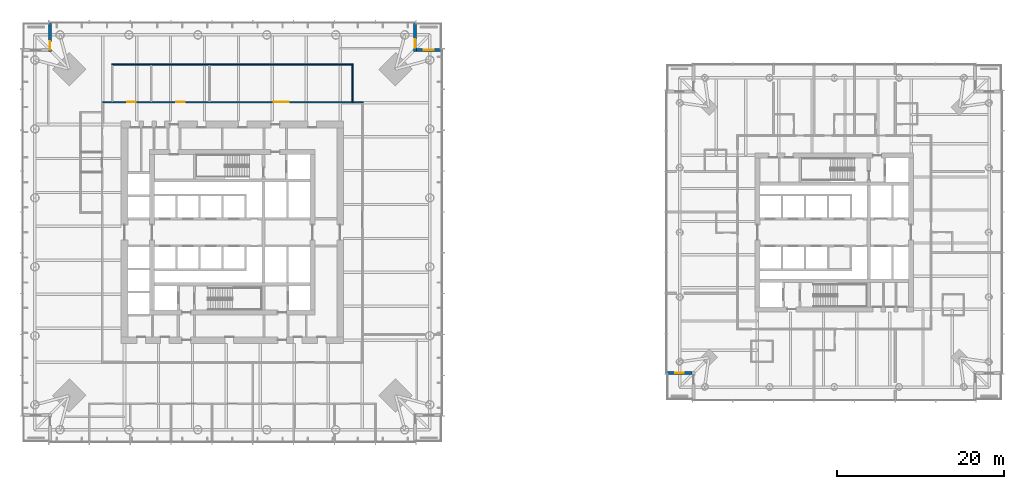
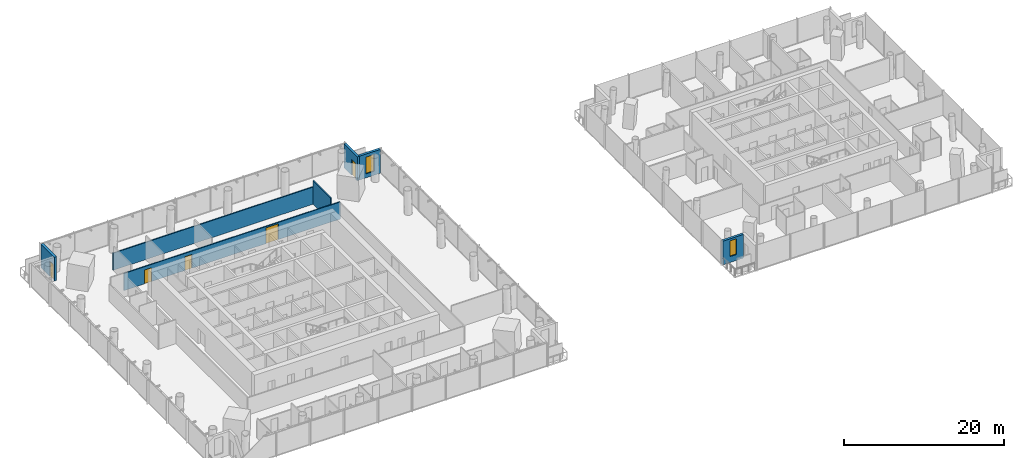
# One storey, part 13 of 21: 7 walls, 5 doors, 2 windows, 7 openings.
"""IFC4 building model written with IfcOpenShell, lengths in metres."""

from ifc_helpers import new_model, si_unit, direction, frame, frame_2d, origin, place, context, subcontext, project, spatial, rectangle, extrude, material, layer, layer_set, type_object, element, fill, save


model = new_model("IFC4")

# Units and contexts
model_context = context("Model", 3, precision=1e-05, world=origin(), true_north=direction((0.0, 1.0)))
body_context = subcontext(model_context, "Body", "Model", "MODEL_VIEW")
ifc_project = project(units=[si_unit("LENGTHUNIT", "METRE"), si_unit("AREAUNIT", "SQUARE_METRE"), si_unit("VOLUMEUNIT", "CUBIC_METRE"), si_unit("PLANEANGLEUNIT", "RADIAN"), si_unit("MASSUNIT", "GRAM", prefix="KILO")], contexts=[model_context])

# Site, building, storey
site_placement = place(None, origin())
site = spatial("IfcSite", under=ifc_project, at=site_placement, CompositionType="ELEMENT")
building_placement = place(site_placement, origin())
building = spatial("IfcBuilding", under=site, at=building_placement, Name="Ostroluk Exchange", CompositionType="ELEMENT")
storey_placement = place(building_placement, frame((0.0, 0.0, 32.39990234375)))
storey = spatial("IfcBuildingStorey", under=building, at=storey_placement, Name="L07", CompositionType="ELEMENT", Elevation=32.39990234375)

# Wall, opening, door
ifc_material_1 = material(Name="Limestone", Category="masonry")
ifc_layer_1 = layer(ifc_material_1, 0.35009765625)
ifc_layer_set_1 = layer_set([ifc_layer_1], Name="Limestone facade wall 350")
wall_type_1 = type_object("IfcWallType", Name="Limestone facade wall 350", PredefinedType="SOLIDWALL", material=ifc_layer_set_1)
wall_1_placement = place(storey_placement, frame((66.824951171875, 71.0, 0.0), z_axis=(0.0, 0.0, 1.0), x_axis=(0.0, -1.0, 0.0)))
wall_1 = element("IfcWall", 1, at=wall_1_placement, inside=storey, type_object=wall_type_1, Name="Office tower NE corner wall L07 a", PredefinedType="SOLIDWALL", context=body_context, shape_type="SweptSolid", body=[
    extrude(rectangle(XDim=3.35009765625, YDim=0.35009765625, at=frame_2d((1.675048828125, 0.0))), origin(), (0.0, 0.0, 1.0), 3.6201171875),
])
opening_1_placement = place(wall_1_placement, frame((1.89990234375, 0.0, 0.0)))
opening_1 = element("IfcOpeningElement", 2, at=opening_1_placement, cuts=wall_1, Name="Opening D-B1", PredefinedType="OPENING", context=body_context, shape_type="SweptSolid", body=[
    extrude(rectangle(XDim=1.0, YDim=2.39990234375, at=frame_2d((0.5, 1.199951171875))), frame((0.0, 0.18505859375, 0.0), z_axis=(0.0, -1.0, 0.0), x_axis=(1.0, 0.0, 0.0)), (0.0, 0.0, 1.0), 0.3701171875),
])
ifc_material_2 = material(Name="Bronze framed glazed door", Category="aluminium")
door_type_1 = type_object("IfcDoorType", Name="Balcony door 1000 x 2400", OperationType="SINGLE_SWING_LEFT", PredefinedType="DOOR", material=ifc_material_2)
door_1_placement = place(opening_1_placement, origin())
door_1 = element("IfcDoor", 3, at=door_1_placement, inside=storey, type_object=door_type_1, Name="Office tower NE balcony door L07", OperationType="SINGLE_SWING_RIGHT", OverallHeight=2.39990234375, OverallWidth=1.0, PredefinedType="DOOR", context=body_context, shape_type="SweptSolid", body=[
    extrude(rectangle(XDim=1.0, YDim=2.39990234375, at=frame_2d((0.5, 1.199951171875))), frame((0.0, 0.02490234375, 0.0), z_axis=(0.0, -1.0, 0.0), x_axis=(1.0, 0.0, 0.0)), (0.0, 0.0, 1.0), 0.050048828125),
])
fill(opening_1, door_1)

# Wall, opening, window
wall_2_placement = place(storey_placement, frame((67.0, 67.824951171875, 0.0), z_axis=(0.0, 0.0, 1.0), x_axis=(1.0, 0.0, 0.0)))
wall_2 = element("IfcWall", 4, at=wall_2_placement, inside=storey, type_object=wall_type_1, Name="Office tower NE corner wall L07 b", PredefinedType="SOLIDWALL", context=body_context, shape_type="SweptSolid", body=[
    extrude(rectangle(XDim=3.0, YDim=0.35009765625, at=frame_2d((1.5, 0.0))), origin(), (0.0, 0.0, 1.0), 3.6201171875),
])
opening_2_placement = place(wall_2_placement, frame((0.89990234375, 0.0, 0.60009765625)))
opening_2 = element("IfcOpeningElement", 5, at=opening_2_placement, cuts=wall_2, Name="Opening WN-L1", PredefinedType="OPENING", context=body_context, shape_type="SweptSolid", body=[
    extrude(rectangle(XDim=1.199951171875, YDim=2.550048828125, at=frame_2d((0.60009765625, 1.27490234375))), frame((0.0, 0.18505859375, 0.0), z_axis=(0.0, -1.0, 0.0), x_axis=(1.0, 0.0, 0.0)), (0.0, 0.0, 1.0), 0.3701171875),
])
ifc_material_3 = material(Name="Laminated clear glass", Category="glass")
window_type_1 = type_object("IfcWindowType", Name="Lancet window 1200 x 2550", PartitioningType="SINGLE_PANEL", PredefinedType="WINDOW", material=ifc_material_3)
window_1_placement = place(opening_2_placement, origin())
window_1 = element("IfcWindow", 6, at=window_1_placement, inside=storey, type_object=window_type_1, Name="Office tower NE lancet window L07", OverallHeight=2.550048828125, OverallWidth=1.199951171875, PartitioningType="SINGLE_PANEL", PredefinedType="WINDOW", context=body_context, shape_type="SweptSolid", body=[
    extrude(rectangle(XDim=1.199951171875, YDim=2.550048828125, at=frame_2d((0.60009765625, 1.27490234375))), frame((0.0, 0.030029296875, 0.0), z_axis=(0.0, -1.0, 0.0), x_axis=(1.0, 0.0, 0.0)), (0.0, 0.0, 1.0), 0.06005859375),
])
fill(opening_2, window_1)

# Wall, opening, door
wall_3_placement = place(storey_placement, frame((23.175048828125, 71.0, 0.0), z_axis=(0.0, 0.0, 1.0), x_axis=(0.0, -1.0, 0.0)))
wall_3 = element("IfcWall", 7, at=wall_3_placement, inside=storey, type_object=wall_type_1, Name="Office tower NW corner wall L07 a", PredefinedType="SOLIDWALL", context=body_context, shape_type="SweptSolid", body=[
    extrude(rectangle(XDim=3.35009765625, YDim=0.35009765625, at=frame_2d((1.675048828125, 0.0))), origin(), (0.0, 0.0, 1.0), 3.6201171875),
])
opening_3_placement = place(wall_3_placement, frame((2.14990234375, 0.0, 0.0)))
opening_3 = element("IfcOpeningElement", 8, at=opening_3_placement, cuts=wall_3, Name="Opening D-B1", PredefinedType="OPENING", context=body_context, shape_type="SweptSolid", body=[
    extrude(rectangle(XDim=1.0, YDim=2.39990234375, at=frame_2d((0.5, 1.199951171875))), frame((0.0, 0.18505859375, 0.0), z_axis=(0.0, -1.0, 0.0), x_axis=(1.0, 0.0, 0.0)), (0.0, 0.0, 1.0), 0.3701171875),
])
door_2_placement = place(opening_3_placement, origin())
door_2 = element("IfcDoor", 9, at=door_2_placement, inside=storey, type_object=door_type_1, Name="Office tower NW balcony door L07", OperationType="SINGLE_SWING_RIGHT", OverallHeight=2.39990234375, OverallWidth=1.0, PredefinedType="DOOR", context=body_context, shape_type="SweptSolid", body=[
    extrude(rectangle(XDim=1.0, YDim=2.39990234375, at=frame_2d((0.5, 1.199951171875))), frame((0.0, 0.02490234375, 0.0), z_axis=(0.0, -1.0, 0.0), x_axis=(1.0, 0.0, 0.0)), (0.0, 0.0, 1.0), 0.050048828125),
])
fill(opening_3, door_2)

# Wall, opening, window
wall_4_placement = place(storey_placement, frame((100.0, 29.175048828125, 0.0), z_axis=(0.0, 0.0, 1.0), x_axis=(-1.0, 0.0, 0.0)))
wall_4 = element("IfcWall", 10, at=wall_4_placement, inside=storey, type_object=wall_type_1, Name="Hotel tower SW corner wall L07 b", PredefinedType="SOLIDWALL", context=body_context, shape_type="SweptSolid", body=[
    extrude(rectangle(XDim=3.0, YDim=0.35009765625, at=frame_2d((1.5, 0.0))), origin(), (0.0, 0.0, 1.0), 3.60009765625),
])
opening_4_placement = place(wall_4_placement, frame((1.0, 0.0, 0.89990234375)))
opening_4 = element("IfcOpeningElement", 11, at=opening_4_placement, cuts=wall_4, Name="Opening WN-L3", PredefinedType="OPENING", context=body_context, shape_type="SweptSolid", body=[
    extrude(rectangle(XDim=1.0, YDim=2.39990234375, at=frame_2d((0.5, 1.199951171875))), frame((0.0, 0.18505859375, 0.0), z_axis=(0.0, -1.0, 0.0), x_axis=(1.0, 0.0, 0.0)), (0.0, 0.0, 1.0), 0.3701171875),
])
ifc_material_4 = material(Name="Laminated clear glass", Category="glass")
window_type_2 = type_object("IfcWindowType", Name="Hotel lancet window 1000 x 2400", PartitioningType="SINGLE_PANEL", PredefinedType="WINDOW", material=ifc_material_4)
window_2_placement = place(opening_4_placement, origin())
window_2 = element("IfcWindow", 12, at=window_2_placement, inside=storey, type_object=window_type_2, Name="Hotel tower SW lancet window L07", OverallHeight=2.39990234375, OverallWidth=1.0, PartitioningType="SINGLE_PANEL", PredefinedType="WINDOW", context=body_context, shape_type="SweptSolid", body=[
    extrude(rectangle(XDim=1.0, YDim=2.39990234375, at=frame_2d((0.5, 1.199951171875))), frame((0.0, 0.030029296875, 0.0), z_axis=(0.0, -1.0, 0.0), x_axis=(1.0, 0.0, 0.0)), (0.0, 0.0, 1.0), 0.06005859375),
])
fill(opening_4, window_2)

# Walls
ifc_material_5 = material(Name="Gypsum plasterboard partition", Category="gypsum")
ifc_layer_2 = layer(ifc_material_5, 0.14990234375)
ifc_layer_set_2 = layer_set([ifc_layer_2], Name="Plasterboard partition 150")
wall_type_2 = type_object("IfcWallType", Name="Plasterboard partition 150", PredefinedType="PARTITIONING", material=ifc_layer_set_2)
wall_5_placement = place(storey_placement, frame((59.375, 61.64990234375, 0.0), z_axis=(0.0, 0.0, 1.0), x_axis=(0.0, 1.0, 0.0)))
element("IfcWall", 13, at=wall_5_placement, inside=storey, type_object=wall_type_2, Name="Partition", PredefinedType="PARTITIONING", context=body_context, shape_type="SweptSolid", body=[
    extrude(rectangle(XDim=4.35009765625, YDim=0.14990234375, at=frame_2d((2.175048828125, 0.0))), origin(), (0.0, 0.0, 1.0), 3.6201171875),
])
wall_6_placement = place(storey_placement, frame((59.449951171875, 66.074951171875, 0.0), z_axis=(0.0, 0.0, 1.0), x_axis=(-1.0, 0.0, 0.0)))
element("IfcWall", 14, at=wall_6_placement, inside=storey, type_object=wall_type_2, Name="Partition", PredefinedType="PARTITIONING", context=body_context, shape_type="SweptSolid", body=[
    extrude(rectangle(XDim=28.89990234375, YDim=0.14990234375, at=frame_2d((14.449951171875, 0.0))), origin(), (0.0, 0.0, 1.0), 2.612060546875),
])

# Wall, openings, doors
wall_7_placement = place(storey_placement, frame((60.64990234375, 61.574951171875, 0.0), z_axis=(0.0, 0.0, 1.0), x_axis=(-1.0, 0.0, 0.0)))
wall_7 = element("IfcWall", 15, at=wall_7_placement, inside=storey, type_object=wall_type_2, Name="Corridor wall", PredefinedType="PARTITIONING", context=body_context, shape_type="SweptSolid", body=[
    extrude(rectangle(XDim=31.14990234375, YDim=0.14990234375, at=frame_2d((15.574951171875, 0.0))), origin(), (0.0, 0.0, 1.0), 2.612060546875),
])
opening_5_placement = place(wall_7_placement, frame((8.92236328125, 0.0, 0.0)))
opening_5 = element("IfcOpeningElement", 16, at=opening_5_placement, cuts=wall_7, Name="Opening D-04", PredefinedType="OPENING", context=body_context, shape_type="SweptSolid", body=[
    extrude(rectangle(XDim=1.800048828125, YDim=2.39990234375, at=frame_2d((0.89990234375, 1.199951171875))), frame((0.0, 0.0849609375, 0.0), z_axis=(0.0, -1.0, 0.0), x_axis=(1.0, 0.0, 0.0)), (0.0, 0.0, 1.0), 0.169921875),
])
opening_6_placement = place(wall_7_placement, frame((21.3662109375, 0.0, 0.0)))
opening_6 = element("IfcOpeningElement", 17, at=opening_6_placement, cuts=wall_7, Name="Opening D-03", PredefinedType="OPENING", context=body_context, shape_type="SweptSolid", body=[
    extrude(rectangle(XDim=1.0, YDim=2.10009765625, at=frame_2d((0.5, 1.050048828125))), frame((0.0, 0.0849609375, 0.0), z_axis=(0.0, -1.0, 0.0), x_axis=(1.0, 0.0, 0.0)), (0.0, 0.0, 1.0), 0.169921875),
])
opening_7_placement = place(wall_7_placement, frame((27.19384765625, 0.0, 0.0)))
opening_7 = element("IfcOpeningElement", 18, at=opening_7_placement, cuts=wall_7, Name="Opening D-03", PredefinedType="OPENING", context=body_context, shape_type="SweptSolid", body=[
    extrude(rectangle(XDim=1.0, YDim=2.10009765625, at=frame_2d((0.5, 1.050048828125))), frame((0.0, 0.0849609375, 0.0), z_axis=(0.0, -1.0, 0.0), x_axis=(1.0, 0.0, 0.0)), (0.0, 0.0, 1.0), 0.169921875),
])
ifc_material_6 = material(Name="Timber", Category="wood")
door_type_2 = type_object("IfcDoorType", Name="Double door 1800 x 2400", OperationType="DOUBLE_DOOR_SINGLE_SWING", PredefinedType="DOOR", material=ifc_material_6)
door_3_placement = place(opening_5_placement, origin())
door_3 = element("IfcDoor", 19, at=door_3_placement, inside=storey, type_object=door_type_2, Name="Training room door", OperationType="DOUBLE_DOOR_SINGLE_SWING", OverallHeight=2.39990234375, OverallWidth=1.800048828125, PredefinedType="DOOR", context=body_context, shape_type="SweptSolid", body=[
    extrude(rectangle(XDim=1.800048828125, YDim=2.39990234375, at=frame_2d((0.89990234375, 1.199951171875))), frame((0.0, 0.02490234375, 0.0), z_axis=(0.0, -1.0, 0.0), x_axis=(1.0, 0.0, 0.0)), (0.0, 0.0, 1.0), 0.050048828125),
])
fill(opening_5, door_3)
ifc_material_7 = material(Name="Timber", Category="wood")
door_type_3 = type_object("IfcDoorType", Name="Internal door 1000 x 2100", OperationType="SINGLE_SWING_LEFT", PredefinedType="DOOR", material=ifc_material_7)
door_4_placement = place(opening_6_placement, origin())
door_4 = element("IfcDoor", 20, at=door_4_placement, inside=storey, type_object=door_type_3, Name="Pantry door", OperationType="SINGLE_SWING_RIGHT", OverallHeight=2.10009765625, OverallWidth=1.0, PredefinedType="DOOR", context=body_context, shape_type="SweptSolid", body=[
    extrude(rectangle(XDim=1.0, YDim=2.10009765625, at=frame_2d((0.5, 1.050048828125))), frame((0.0, 0.02490234375, 0.0), z_axis=(0.0, -1.0, 0.0), x_axis=(1.0, 0.0, 0.0)), (0.0, 0.0, 1.0), 0.050048828125),
])
fill(opening_6, door_4)
door_5_placement = place(opening_7_placement, origin())
door_5 = element("IfcDoor", 21, at=door_5_placement, inside=storey, type_object=door_type_3, Name="Print and store room door", OperationType="SINGLE_SWING_RIGHT", OverallHeight=2.10009765625, OverallWidth=1.0, PredefinedType="DOOR", context=body_context, shape_type="SweptSolid", body=[
    extrude(rectangle(XDim=1.0, YDim=2.10009765625, at=frame_2d((0.5, 1.050048828125))), frame((0.0, 0.02490234375, 0.0), z_axis=(0.0, -1.0, 0.0), x_axis=(1.0, 0.0, 0.0)), (0.0, 0.0, 1.0), 0.050048828125),
])
fill(opening_7, door_5)

save(model, "model.ifc")
